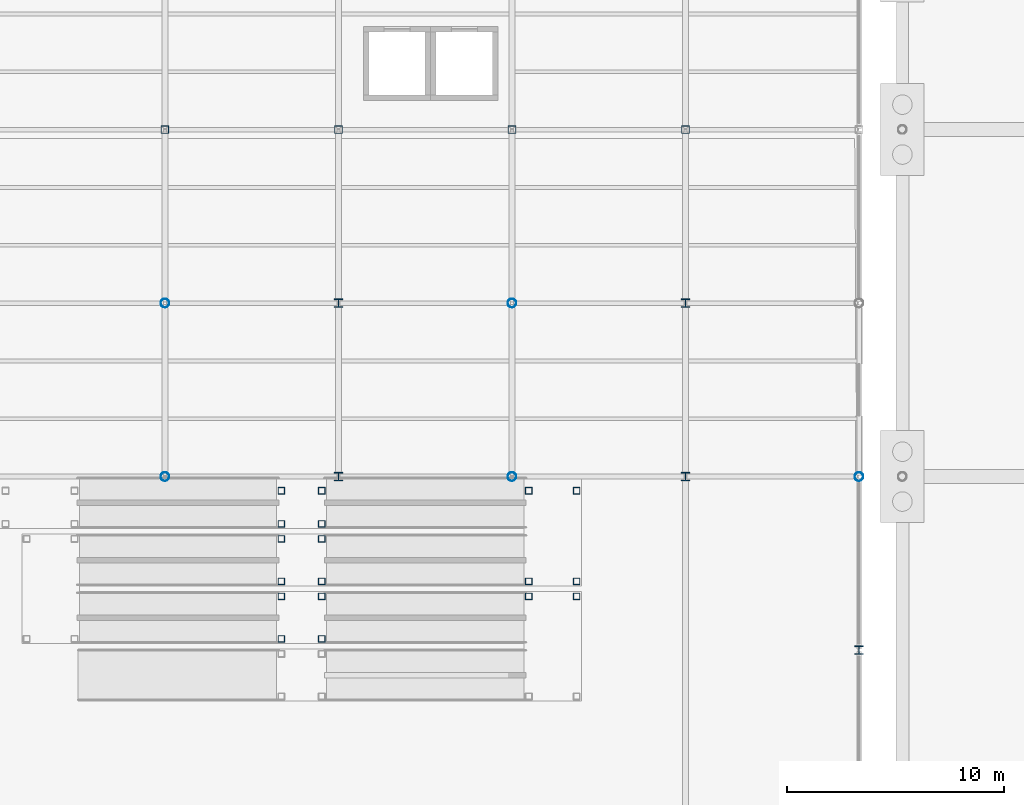
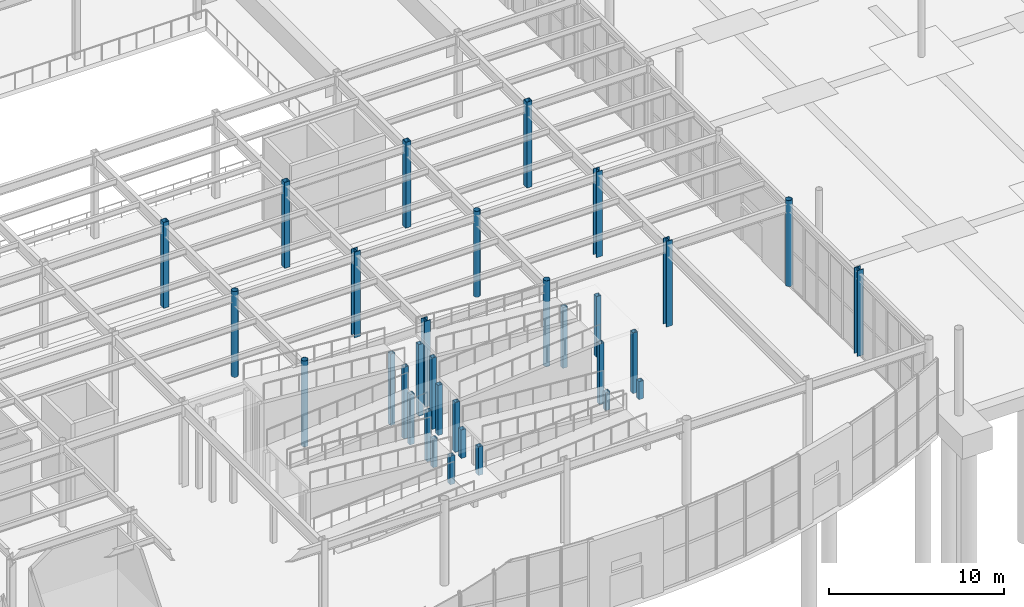
# One storey, part 11 of 82: 32 columns.
"""IFC4 building model written with IfcOpenShell, lengths in metres."""

from ifc_helpers import new_model, si_unit, direction, frame, origin, origin_2d, place, context, subcontext, project, spatial, hollow_rectangle, hollow_circle, i_section, extrude, material, material_profile, profile_set, type_object, element, save


model = new_model("IFC4")

# Units and contexts
model_context = context("Model", 3, precision=1e-05, world=origin(), true_north=direction((0.0, 1.0)))
body_context = subcontext(model_context, "Body", "Model", "MODEL_VIEW")
ifc_project = project(units=[si_unit("LENGTHUNIT", "METRE"), si_unit("AREAUNIT", "SQUARE_METRE"), si_unit("VOLUMEUNIT", "CUBIC_METRE"), si_unit("PLANEANGLEUNIT", "RADIAN"), si_unit("MASSUNIT", "GRAM", prefix="KILO")], contexts=[model_context])

# Site, building, storey
site_placement = place(None, origin())
site = spatial("IfcSite", under=ifc_project, at=site_placement, CompositionType="ELEMENT")
building_placement = place(site_placement, origin())
building = spatial("IfcBuilding", under=site, at=building_placement, Name="Drelvath Fold Interchange", CompositionType="ELEMENT")
storey_placement = place(building_placement, origin())
storey = spatial("IfcBuildingStorey", under=building, at=storey_placement, Name="L00", CompositionType="ELEMENT", Elevation=0.0)

# Columns
ifc_material_1 = material(Name="Steel ASTM A500 Grade C", Category="steel")
ifc_material_profile_1 = material_profile(ifc_material_1, hollow_circle(Radius=0.202880859375, WallThickness=0.014892578125, at=origin_2d()), Name="HSS16.000X0.625")
ifc_profile_set_1 = profile_set([ifc_material_profile_1], Name="Steel ASTM A500 Grade C")
column_type_1 = type_object("IfcColumnType", Name="COL-CHS406", PredefinedType="COLUMN", material=ifc_profile_set_1)
for number, where, z_axis, x_axis, name in (
    (1, (68.0, 43.0, 0.0), (0.0, 0.0, 1.0), (1.0, 0.0, 0.0), "L00 column (68,43)"),
    (2, (68.0, 51.0, 0.0), (0.0, 0.0, 1.0), (1.0, 0.0, 0.0), "L00 column (68,51)"),
    (3, (84.0, 43.0, 0.0), (0.0, 0.0, 1.0), (1.0, 0.0, 0.0), "L00 column (84,43)"),
    (4, (84.0, 51.0, 0.0), (0.0, 0.0, 1.0), (1.0, 0.0, 0.0), "L00 column (84,51)"),
    (5, (100.0, 43.0, 0.0), (0.0, 0.0, 1.0), (1.0, 0.0, 0.0), "L00 column (100,43)"),
):
    element("IfcColumn", number, at=place(storey_placement, frame(where, z_axis=z_axis, x_axis=x_axis)), inside=storey, type_object=column_type_1, Name=name, PredefinedType="COLUMN", context=body_context, shape_type="SweptSolid", body=[
        extrude(hollow_circle(Radius=0.202880859375, WallThickness=0.014892578125, at=origin_2d()), origin(), (0.0, 0.0, 1.0), 6.0),
    ])
ifc_material_profile_2 = material_profile(ifc_material_1, hollow_rectangle(XDim=0.304931640625, YDim=0.304931640625, WallThickness=0.01171875, at=origin_2d()), Name="HSS12X12X1/2")
ifc_profile_set_2 = profile_set([ifc_material_profile_2], Name="Steel ASTM A500 Grade C")
column_type_2 = type_object("IfcColumnType", Name="COL-HSS305", PredefinedType="COLUMN", material=ifc_profile_set_2)
for number, where, z_axis, x_axis, name in (
    (6, (86.97998046875, 37.47998046875, 0.0), (0.0, 0.0, 1.0), (1.0, 0.0, 0.0), "Promenade ramp landing 2 corner post 3"),
    (7, (84.77001953125, 37.47998046875, 0.0), (0.0, 0.0, 1.0), (1.0, 0.0, 0.0), "Promenade ramp landing 2 corner post 4"),
):
    element("IfcColumn", number, at=place(storey_placement, frame(where, z_axis=z_axis, x_axis=x_axis)), inside=storey, type_object=column_type_2, Name=name, PredefinedType="COLUMN", context=body_context, shape_type="SweptSolid", body=[
        extrude(hollow_rectangle(XDim=0.304931640625, YDim=0.304931640625, WallThickness=0.01171875, at=origin_2d()), origin(), (0.0, 0.0, 1.0), 1.25),
    ])
for number, where, z_axis, x_axis, name in (
    (8, (73.3701171875, 35.52001953125, 0.0), (0.0, 0.0, 1.0), (1.0, 0.0, 0.0), "Promenade ramp landing 3 corner post 1"),
    (9, (75.22998046875, 35.52001953125, 0.0), (0.0, 0.0, 1.0), (1.0, 0.0, 0.0), "Promenade ramp landing 3 corner post 2"),
    (10, (75.22998046875, 37.47998046875, 0.0), (0.0, 0.0, 1.0), (1.0, 0.0, 0.0), "Promenade ramp landing 3 corner post 3"),
    (11, (73.3701171875, 37.47998046875, 0.0), (0.0, 0.0, 1.0), (1.0, 0.0, 0.0), "Promenade ramp landing 3 corner post 4"),
):
    element("IfcColumn", number, at=place(storey_placement, frame(where, z_axis=z_axis, x_axis=x_axis)), inside=storey, type_object=column_type_2, Name=name, PredefinedType="COLUMN", context=body_context, shape_type="SweptSolid", body=[
        extrude(hollow_rectangle(XDim=0.304931640625, YDim=0.304931640625, WallThickness=0.01171875, at=origin_2d()), origin(), (0.0, 0.0, 1.0), 2.0),
    ])
for number, where, z_axis, x_axis, name in (
    (12, (73.3701171875, 38.169921875, 0.0), (0.0, 0.0, 1.0), (1.0, 0.0, 0.0), "Promenade ramp landing 5 corner post 1"),
    (13, (75.22998046875, 38.169921875, 0.0), (0.0, 0.0, 1.0), (1.0, 0.0, 0.0), "Promenade ramp landing 5 corner post 2"),
    (14, (75.22998046875, 40.1298828125, 0.0), (0.0, 0.0, 1.0), (1.0, 0.0, 0.0), "Promenade ramp landing 5 corner post 3"),
    (15, (73.3701171875, 40.1298828125, 0.0), (0.0, 0.0, 1.0), (1.0, 0.0, 0.0), "Promenade ramp landing 5 corner post 4"),
):
    element("IfcColumn", number, at=place(storey_placement, frame(where, z_axis=z_axis, x_axis=x_axis)), inside=storey, type_object=column_type_2, Name=name, PredefinedType="COLUMN", context=body_context, shape_type="SweptSolid", body=[
        extrude(hollow_rectangle(XDim=0.304931640625, YDim=0.304931640625, WallThickness=0.01171875, at=origin_2d()), origin(), (0.0, 0.0, 1.0), 3.5),
    ])
for number, where, z_axis, x_axis, name in (
    (16, (84.77001953125, 38.169921875, 0.0), (0.0, 0.0, 1.0), (1.0, 0.0, 0.0), "Promenade ramp landing 6 corner post 1"),
    (17, (86.97998046875, 38.169921875, 0.0), (0.0, 0.0, 1.0), (1.0, 0.0, 0.0), "Promenade ramp landing 6 corner post 2"),
    (18, (86.97998046875, 42.35009765625, 0.0), (0.0, 0.0, 1.0), (1.0, 0.0, 0.0), "Promenade ramp landing 6 corner post 3"),
    (19, (84.77001953125, 42.35009765625, 0.0), (0.0, 0.0, 1.0), (1.0, 0.0, 0.0), "Promenade ramp landing 6 corner post 4"),
):
    element("IfcColumn", number, at=place(storey_placement, frame(where, z_axis=z_axis, x_axis=x_axis)), inside=storey, type_object=column_type_2, Name=name, PredefinedType="COLUMN", context=body_context, shape_type="SweptSolid", body=[
        extrude(hollow_rectangle(XDim=0.304931640625, YDim=0.304931640625, WallThickness=0.01171875, at=origin_2d()), origin(), (0.0, 0.0, 1.0), 4.25),
    ])
for number, where, z_axis, x_axis, name in (
    (20, (73.3701171875, 40.820068359375, 0.0), (0.0, 0.0, 1.0), (1.0, 0.0, 0.0), "Promenade ramp landing 7 corner post 1"),
    (21, (75.22998046875, 40.820068359375, 0.0), (0.0, 0.0, 1.0), (1.0, 0.0, 0.0), "Promenade ramp landing 7 corner post 2"),
    (22, (75.22998046875, 42.35009765625, 0.0), (0.0, 0.0, 1.0), (1.0, 0.0, 0.0), "Promenade ramp landing 7 corner post 3"),
    (23, (73.3701171875, 42.35009765625, 0.0), (0.0, 0.0, 1.0), (1.0, 0.0, 0.0), "Promenade ramp landing 7 corner post 4"),
):
    element("IfcColumn", number, at=place(storey_placement, frame(where, z_axis=z_axis, x_axis=x_axis)), inside=storey, type_object=column_type_2, Name=name, PredefinedType="COLUMN", context=body_context, shape_type="SweptSolid", body=[
        extrude(hollow_rectangle(XDim=0.304931640625, YDim=0.304931640625, WallThickness=0.01171875, at=origin_2d()), origin(), (0.0, 0.0, 1.0), 5.0),
    ])
ifc_material_profile_3 = material_profile(ifc_material_1, hollow_rectangle(XDim=0.35595703125, YDim=0.35595703125, WallThickness=0.014892578125, at=origin_2d()), Name="HSS14X14X5/8")
ifc_profile_set_3 = profile_set([ifc_material_profile_3], Name="Steel ASTM A500 Grade C")
column_type_3 = type_object("IfcColumnType", Name="COL-HSS356", PredefinedType="COLUMN", material=ifc_profile_set_3)
for number, where, z_axis, x_axis, name in (
    (24, (68.0, 59.0, 0.0), (0.0, 0.0, 1.0), (1.0, 0.0, 0.0), "L00 column (68,59)"),
    (25, (76.0, 59.0, 0.0), (0.0, 0.0, 1.0), (1.0, 0.0, 0.0), "L00 column (76,59)"),
    (26, (84.0, 59.0, 0.0), (0.0, 0.0, 1.0), (1.0, 0.0, 0.0), "L00 column (84,59)"),
    (27, (92.0, 59.0, 0.0), (0.0, 0.0, 1.0), (1.0, 0.0, 0.0), "L00 column (92,59)"),
):
    element("IfcColumn", number, at=place(storey_placement, frame(where, z_axis=z_axis, x_axis=x_axis)), inside=storey, type_object=column_type_3, Name=name, PredefinedType="COLUMN", context=body_context, shape_type="SweptSolid", body=[
        extrude(hollow_rectangle(XDim=0.35595703125, YDim=0.35595703125, WallThickness=0.014892578125, at=origin_2d()), origin(), (0.0, 0.0, 1.0), 6.0),
    ])
ifc_material_2 = material(Name="Steel ASTM A992 Grade 50", Category="steel")
ifc_material_profile_4 = material_profile(ifc_material_2, i_section(OverallWidth=0.39892578125, OverallDepth=0.39306640625, WebThickness=0.022705078125, FlangeThickness=0.03662109375, at=origin_2d()), Name="W14X193")
ifc_profile_set_4 = profile_set([ifc_material_profile_4], Name="Steel ASTM A992 Grade 50")
column_type_4 = type_object("IfcColumnType", Name="COL-W14X193", PredefinedType="COLUMN", material=ifc_profile_set_4)
for number, where, z_axis, x_axis, name in (
    (28, (76.0, 43.0, 0.0), (0.0, 0.0, 1.0), (1.0, 0.0, 0.0), "L00 column (76,43)"),
    (29, (76.0, 51.0, 0.0), (0.0, 0.0, 1.0), (1.0, 0.0, 0.0), "L00 column (76,51)"),
    (30, (92.0, 43.0, 0.0), (0.0, 0.0, 1.0), (1.0, 0.0, 0.0), "L00 column (92,43)"),
    (31, (92.0, 51.0, 0.0), (0.0, 0.0, 1.0), (1.0, 0.0, 0.0), "L00 column (92,51)"),
    (32, (100.0, 35.0, 0.0), (0.0, 0.0, 1.0), (1.0, 0.0, 0.0), "L00 column (100,35)"),
):
    element("IfcColumn", number, at=place(storey_placement, frame(where, z_axis=z_axis, x_axis=x_axis)), inside=storey, type_object=column_type_4, Name=name, PredefinedType="COLUMN", context=body_context, shape_type="SweptSolid", body=[
        extrude(i_section(OverallWidth=0.39892578125, OverallDepth=0.39306640625, WebThickness=0.022705078125, FlangeThickness=0.03662109375, at=origin_2d()), origin(), (0.0, 0.0, 1.0), 6.0),
    ])

save(model, "model.ifc")
